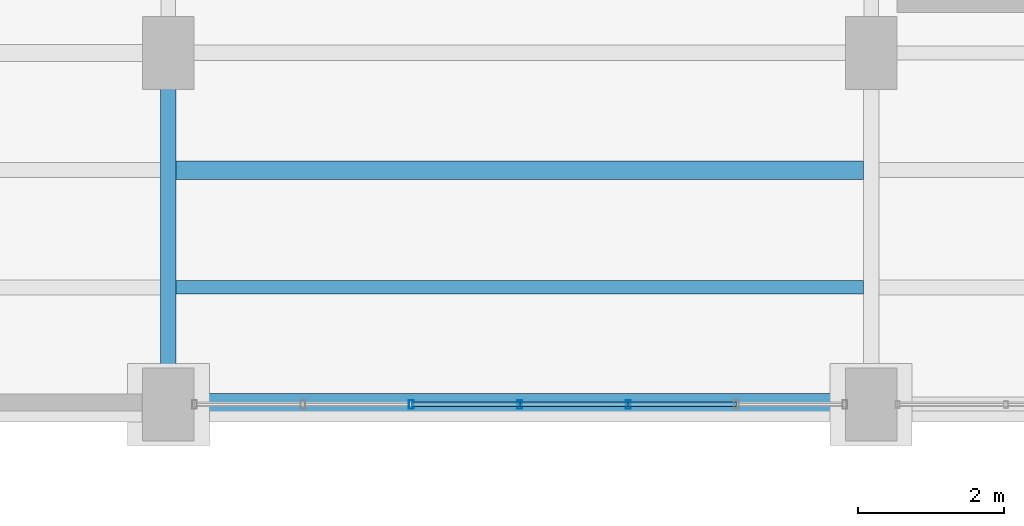
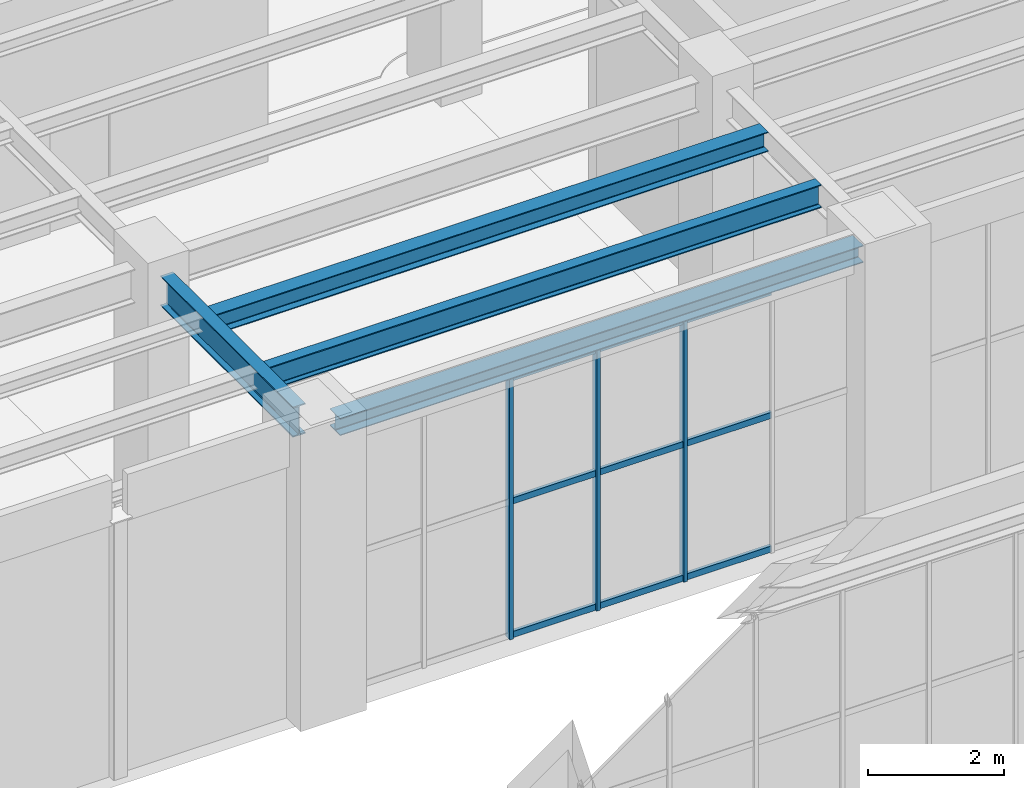
# One storey, part 99 of 164: 12 members, 4 beams, 1 element without a shape of its own.
"""IFC4 building model written with IfcOpenShell, lengths in metres."""

import ifcopenshell
import ifcopenshell.guid

model = None  # the IFC model being written
_history = None  # IfcOwnerHistory: only IFC2X3 demands one
_inside = {}  # id of a spatial element -> (the spatial element, [elements in it])
_under = {}  # id of a project, library or spatial element -> (it, [spatial elements below it])
_declared = {}  # id of a project -> (the project, [libraries it declares])
_typed = {}  # id of a type object -> (the type object, [elements of that type])
_made_of = {}  # id of a material, layer set ... -> (it, [elements and type objects made of it])


def new_model(schema):
    """Start an empty IFC model of exactly this schema.

    Asked for "IFC4X3", IfcOpenShell would pick the latest addendum, in which some entities
    have other attributes; the version numbers below select the first issue.
    IFC2X3 requires an IfcOwnerHistory on every rooted entity: one is made here for all.
    """
    global model, _history
    if schema == "IFC4X3":
        model = ifcopenshell.file(schema_version=(4, 3, 0, 0))
    else:
        model = ifcopenshell.file(schema=schema)
    _inside.clear()
    _under.clear()
    _declared.clear()
    _typed.clear()
    _made_of.clear()
    _history = None
    if model.schema == "IFC2X3":
        org = make("IfcOrganization", Name="unknown")
        user = make(
            "IfcPersonAndOrganization",
            ThePerson=make("IfcPerson", FamilyName="unknown"),
            TheOrganization=org,
        )
        app = make(
            "IfcApplication",
            ApplicationDeveloper=org,
            Version="unknown",
            ApplicationFullName="unknown",
            ApplicationIdentifier="unknown",
        )
        _history = make(
            "IfcOwnerHistory",
            OwningUser=user,
            OwningApplication=app,
            ChangeAction="ADDED",
            CreationDate=0,
        )
    return model


def make(cls, **values):
    """One entity of the class cls with the attributes given. An attribute that is None is left unset."""
    return model.create_entity(
        cls, **{name: value for name, value in values.items() if value is not None}
    )


def rooted(cls, **values):
    """An entity with a GlobalId (a new one), such as an element, a storey or a relation."""
    return make(cls, GlobalId=ifcopenshell.guid.new(), OwnerHistory=_history, **values)


def si_unit(unit_type, name, prefix=None):
    """IfcSIUnit, for example si_unit("LENGTHUNIT", "METRE", prefix="MILLI")."""
    return make("IfcSIUnit", UnitType=unit_type, Prefix=prefix, Name=name)


def assignment(units):
    """IfcUnitAssignment: the units of a project."""
    return None if units is None else make("IfcUnitAssignment", Units=units)


def point(xyz):
    """IfcCartesianPoint."""
    return None if xyz is None else make("IfcCartesianPoint", Coordinates=xyz)


def direction(xyz):
    """IfcDirection."""
    return None if xyz is None else make("IfcDirection", DirectionRatios=xyz)


def frame(location, z_axis=None, x_axis=None):
    """IfcAxis2Placement3D, a coordinate frame: its origin and axes. An axis left out is left unset."""
    return make(
        "IfcAxis2Placement3D",
        Location=point(location),
        Axis=direction(z_axis),
        RefDirection=direction(x_axis),
    )


def frame_2d(location, x_axis=None):
    """IfcAxis2Placement2D, a coordinate frame in the plane: its origin and x axis."""
    return make(
        "IfcAxis2Placement2D", Location=point(location), RefDirection=direction(x_axis)
    )


def origin():
    """The frame at (0, 0, 0) with its axes left unset."""
    return frame((0.0, 0.0, 0.0))


def origin_2d():
    """The frame at (0, 0) in the plane with its x axis left unset."""
    return frame_2d((0.0, 0.0))


def place(relative_to, where):
    """IfcLocalPlacement: puts the frame where relative to a parent placement (None: the world)."""
    return make(
        "IfcLocalPlacement", PlacementRelTo=relative_to, RelativePlacement=where
    )


def context(
    kind, dimensions, precision=None, world=None, true_north=None, identifier=None
):
    """IfcGeometricRepresentationContext, for example the 3D "Model" context."""
    return make(
        "IfcGeometricRepresentationContext",
        ContextIdentifier=identifier,
        ContextType=kind,
        CoordinateSpaceDimension=dimensions,
        Precision=precision,
        WorldCoordinateSystem=world,
        TrueNorth=true_north,
    )


def subcontext(parent, identifier, kind, view, scale=None):
    """IfcGeometricRepresentationSubContext, for example "Body" below "Model"."""
    return make(
        "IfcGeometricRepresentationSubContext",
        ContextIdentifier=identifier,
        ContextType=kind,
        ParentContext=parent,
        TargetScale=scale,
        TargetView=view,
    )


def project(units=None, contexts=None):
    """IfcProject with its units and contexts."""
    return rooted(
        "IfcProject",
        Name="project",
        RepresentationContexts=contexts,
        UnitsInContext=assignment(units),
    )


def spatial(cls, under=None, at=None, **own):
    """A site, building, storey or space (cls), placed at a placement, below another one or the project."""
    s = rooted(cls, ObjectPlacement=at, **own)
    if under is not None:
        _under.setdefault(under.id(), (under, []))[1].append(s)
    return s


def profile(cls, at=None, kind="AREA", **sizes):
    """A parametric profile (cls). Its sizes go by their IFC names, for example OverallWidth=200.0."""
    return make(cls, ProfileType=kind, Position=at, **sizes)


def hollow_rectangle(**sizes):
    """IfcRectangleHollowProfileDef."""
    return profile("IfcRectangleHollowProfileDef", **sizes)


def i_section(**sizes):
    """IfcIShapeProfileDef."""
    return profile("IfcIShapeProfileDef", **sizes)


def extrude(swept, where, along, depth):
    """IfcExtrudedAreaSolid: the profile swept, set in the frame where, extruded along a direction by depth."""
    return make(
        "IfcExtrudedAreaSolid",
        SweptArea=swept,
        Position=where,
        ExtrudedDirection=direction(along),
        Depth=depth,
    )


def shape(context_of_items, identifier, shape_type, items):
    """IfcShapeRepresentation: the items that make up one representation, for example the "Body"."""
    return make(
        "IfcShapeRepresentation",
        ContextOfItems=context_of_items,
        RepresentationIdentifier=identifier,
        RepresentationType=shape_type,
        Items=items,
    )


def material(Name=None, Category=None):
    """IfcMaterial."""
    return make("IfcMaterial", Name=Name, Category=Category)


def material_profile(
    of_material, cross_section, Name=None, Category=None, Priority=None
):
    """IfcMaterialProfile: a cross section and its material."""
    return make(
        "IfcMaterialProfile",
        Name=Name,
        Material=of_material,
        Profile=cross_section,
        Priority=Priority,
        Category=Category,
    )


def profile_set(profiles, Name=None, composite=None):
    """IfcMaterialProfileSet."""
    return make(
        "IfcMaterialProfileSet",
        Name=Name,
        MaterialProfiles=profiles,
        CompositeProfile=composite,
    )


def made_of(thing, what):
    """Note that an element or type object is made of a material, layer set ...; save() writes the relation."""
    if what is not None:
        _made_of.setdefault(what.id(), (what, []))[1].append(thing)
    return thing


def type_object(cls, material=None, **own):
    """A type object (cls), such as IfcWallType, which elements share."""
    return made_of(rooted(cls, **own), material)


def element(
    cls,
    number,
    at=None,
    inside=None,
    cuts=None,
    type_object=None,
    material=None,
    context=None,
    identifier="Body",
    shape_type=None,
    held_by="IfcProductDefinitionShape",
    body=None,
    shapes=None,
    **own,
):
    """One element of the class cls, such as IfcWall. Its Tag is "e" and its number.

    at: its placement. inside: the storey or other place that contains it. cuts: it is an
    opening in that element (IfcRelVoidsElement). A single representation is given by context,
    identifier, shape_type and body (its items); several are given by shapes. held_by: the class
    of the entity that holds the representations. save() writes the other relations.
    """
    e = rooted(cls, Tag="e%d" % number, ObjectPlacement=at, **own)
    if body is not None:
        shapes = [shape(context, identifier, shape_type, body)]
    if shapes is not None:
        e.Representation = make(held_by, Representations=shapes)
    if inside is not None:
        _inside.setdefault(inside.id(), (inside, []))[1].append(e)
    if cuts is not None:
        rooted(
            "IfcRelVoidsElement", RelatingBuildingElement=cuts, RelatedOpeningElement=e
        )
    if type_object is not None:
        _typed.setdefault(type_object.id(), (type_object, []))[1].append(e)
    return made_of(e, material)


def aggregate(whole, parts):
    """IfcRelAggregates: a whole, such as a stair, and the parts it consists of."""
    return rooted("IfcRelAggregates", RelatingObject=whole, RelatedObjects=parts)


def save(model, path):
    """Write the relations noted so far, then the file.

    IfcRelAggregates (storeys below a building ...), IfcRelContainedInSpatialStructure (elements
    in a storey), IfcRelDefinesByType, IfcRelAssociatesMaterial and IfcRelDeclares: one each for
    every whole, place, type object, material and project.
    """
    for whole, parts in _under.values():
        aggregate(whole, parts)
    for where, things in _inside.values():
        rooted(
            "IfcRelContainedInSpatialStructure",
            RelatedElements=things,
            RelatingStructure=where,
        )
    for kind, things in _typed.values():
        rooted("IfcRelDefinesByType", RelatedObjects=things, RelatingType=kind)
    for what, things in _made_of.values():
        rooted("IfcRelAssociatesMaterial", RelatedObjects=things, RelatingMaterial=what)
    for by, libraries in _declared.values():
        rooted("IfcRelDeclares", RelatingContext=by, RelatedDefinitions=libraries)
    model.write(path)


model = new_model("IFC4")

# Units and contexts
model_context = context("Model", 3, precision=1e-05, world=origin(), true_north=direction((0.0, 1.0)))
body_context = subcontext(model_context, "Body", "Model", "MODEL_VIEW")
ifc_project = project(units=[si_unit("LENGTHUNIT", "METRE"), si_unit("AREAUNIT", "SQUARE_METRE"), si_unit("VOLUMEUNIT", "CUBIC_METRE"), si_unit("PLANEANGLEUNIT", "RADIAN"), si_unit("MASSUNIT", "GRAM", prefix="KILO")], contexts=[model_context])

# Site, building, storey
site_placement = place(None, origin())
site = spatial("IfcSite", under=ifc_project, at=site_placement, CompositionType="ELEMENT")
building_placement = place(site_placement, origin())
building = spatial("IfcBuilding", under=site, at=building_placement, Name="Mavantir Sound Aquarium", CompositionType="ELEMENT")
storey_placement = place(building_placement, origin())
storey = spatial("IfcBuildingStorey", under=building, at=storey_placement, Name="L00", CompositionType="ELEMENT", Elevation=0.0)

# Beams
ifc_material_1 = material(Name="Structural Steel ASTM A992 Gr50", Category="steel")
ifc_material_profile_1 = material_profile(ifc_material_1, i_section(OverallWidth=0.304931640625, OverallDepth=0.30810546875, WebThickness=0.010009765625, FlangeThickness=0.015380859375, FilletRadius=0.014892578125, at=origin_2d()), Name="W310X97")
ifc_profile_set_1 = profile_set([ifc_material_profile_1], Name="Structural Steel ASTM A992 Gr50")
beam_type_1 = type_object("IfcBeamType", Name="BM-W310X97-E", PredefinedType="SPANDREL", material=ifc_profile_set_1)
beam_1_placement = place(storey_placement, frame((137.14990234375, 36.0, 4.912109375), z_axis=(1.0, 0.0, 0.0), x_axis=(0.0, 1.0, 0.0)))
element("IfcBeam", 1, at=beam_1_placement, inside=storey, type_object=beam_type_1, Name="L00 primary beam SS-31A 927", PredefinedType="SPANDREL", context=body_context, shape_type="SweptSolid", body=[
    extrude(i_section(OverallWidth=0.304931640625, OverallDepth=0.30810546875, WebThickness=0.010009765625, FlangeThickness=0.015380859375, FilletRadius=0.014892578125, at=origin_2d()), origin(), (0.0, 0.0, 1.0), 8.900146484375),
])
ifc_material_profile_2 = material_profile(ifc_material_1, i_section(OverallWidth=0.25390625, OverallDepth=0.35302734375, WebThickness=0.009521484375, FlangeThickness=0.016357421875, FilletRadius=0.014892578125, at=origin_2d()), Name="W360X91")
ifc_profile_set_2 = profile_set([ifc_material_profile_2], Name="Structural Steel ASTM A992 Gr50")
beam_type_2 = type_object("IfcBeamType", Name="BM-W360X91-I", PredefinedType="JOIST", material=ifc_profile_set_2)
beam_2_placement = place(storey_placement, frame((136.906005859375, 39.199951171875, 4.889404296875), z_axis=(1.0, 0.0, 0.0), x_axis=(0.0, 1.0, 0.0)))
element("IfcBeam", 2, at=beam_2_placement, inside=storey, type_object=beam_type_2, Name="L00 secondary floor joist SJ-36 514", PredefinedType="JOIST", context=body_context, shape_type="SweptSolid", body=[
    extrude(i_section(OverallWidth=0.25390625, OverallDepth=0.35302734375, WebThickness=0.009521484375, FlangeThickness=0.016357421875, FilletRadius=0.014892578125, at=origin_2d()), origin(), (0.0, 0.0, 1.0), 9.387939453125),
])
ifc_material_profile_3 = material_profile(ifc_material_1, i_section(OverallWidth=0.180908203125, OverallDepth=0.4169921875, WebThickness=0.010986328125, FlangeThickness=0.018310546875, FilletRadius=0.014892578125, at=origin_2d()), Name="W410X85")
ifc_profile_set_3 = profile_set([ifc_material_profile_3], Name="Structural Steel ASTM A992 Gr50")
beam_type_3 = type_object("IfcBeamType", Name="BM-W410X85-I", PredefinedType="JOIST", material=ifc_profile_set_3)
beam_3_placement = place(storey_placement, frame((136.906005859375, 37.60009765625, 4.857421875), z_axis=(1.0, 0.0, 0.0), x_axis=(0.0, 1.0, 0.0)))
element("IfcBeam", 3, at=beam_3_placement, inside=storey, type_object=beam_type_3, Name="L00 secondary floor joist SJ-41 513", PredefinedType="JOIST", context=body_context, shape_type="SweptSolid", body=[
    extrude(i_section(OverallWidth=0.180908203125, OverallDepth=0.4169921875, WebThickness=0.010986328125, FlangeThickness=0.018310546875, FilletRadius=0.014892578125, at=origin_2d()), origin(), (0.0, 0.0, 1.0), 9.387939453125),
])
ifc_material_profile_4 = material_profile(ifc_material_1, i_section(OverallWidth=0.2119140625, OverallDepth=0.5439453125, WebThickness=0.01318359375, FlangeThickness=0.021240234375, FilletRadius=0.01806640625, at=origin_2d()), Name="W530X123")
ifc_profile_set_4 = profile_set([ifc_material_profile_4], Name="Structural Steel ASTM A992 Gr50")
beam_type_4 = type_object("IfcBeamType", Name="BM-W530X123-I", PredefinedType="BEAM", material=ifc_profile_set_4)
beam_4_placement = place(storey_placement, frame((136.800048828125, 36.449951171875, 4.7939453125), z_axis=(0.0, 1.0, 0.0), x_axis=(-1.0, 0.0, 0.0)))
element("IfcBeam", 4, at=beam_4_placement, inside=storey, type_object=beam_type_4, Name="L00 primary girder SB-53 995", PredefinedType="BEAM", context=body_context, shape_type="SweptSolid", body=[
    extrude(i_section(OverallWidth=0.2119140625, OverallDepth=0.5439453125, WebThickness=0.01318359375, FlangeThickness=0.021240234375, FilletRadius=0.01806640625, at=origin_2d()), origin(), (0.0, 0.0, 1.0), 3.900146484375),
])

# Curtain wall, members
ifc_material_2 = material(Name="Anodised Marine Aluminium and Low-E Glass", Category="aluminium")
curtain_wall_type = type_object("IfcCurtainWallType", Name="CW-T22", PredefinedType="USERDEFINED", material=ifc_material_2)
curtain_wall_placement = place(storey_placement, origin())
curtain_wall = element("IfcCurtainWall", 5, at=curtain_wall_placement, inside=storey, type_object=curtain_wall_type, Name="L00 unitised curtain wall CW-22 22", ObjectType="UNITISED GLAZING", PredefinedType="USERDEFINED")
ifc_material_3 = material(Name="Anodised Marine Aluminium 6063-T6", Category="aluminium")
ifc_material_profile_5 = material_profile(ifc_material_3, hollow_rectangle(XDim=0.06494140625, YDim=0.1201171875, WallThickness=0.00390625, at=origin_2d()), Name="ALU-MULLION-120X65")
ifc_profile_set_5 = profile_set([ifc_material_profile_5], Name="Anodised Marine Aluminium 6063-T6")
member_type_1 = type_object("IfcMemberType", Name="CW-MUL-120", PredefinedType="MULLION", material=ifc_profile_set_5)
member_1_placement = place(storey_placement, frame((140.119384765625, 36.0, 0.0), z_axis=(0.0, 0.0, 1.0), x_axis=(1.0, 0.0, 0.0)))
member_1 = element("IfcMember", 6, at=member_1_placement, type_object=member_type_1, Name="CW-L00-022 vertical mullion 3", PredefinedType="MULLION", context=body_context, shape_type="SweptSolid", body=[
    extrude(hollow_rectangle(XDim=0.06494140625, YDim=0.1201171875, WallThickness=0.00390625, at=origin_2d()), origin(), (0.0, 0.0, 1.0), 4.72802734375),
])
member_2_placement = place(storey_placement, frame((141.60009765625, 36.0, 0.0), z_axis=(0.0, 0.0, 1.0), x_axis=(1.0, 0.0, 0.0)))
member_2 = element("IfcMember", 7, at=member_2_placement, type_object=member_type_1, Name="CW-L00-022 vertical mullion 4", PredefinedType="MULLION", context=body_context, shape_type="SweptSolid", body=[
    extrude(hollow_rectangle(XDim=0.06494140625, YDim=0.1201171875, WallThickness=0.00390625, at=origin_2d()), origin(), (0.0, 0.0, 1.0), 4.72802734375),
])
member_3_placement = place(storey_placement, frame((143.080810546875, 36.0, 0.0), z_axis=(0.0, 0.0, 1.0), x_axis=(1.0, 0.0, 0.0)))
member_3 = element("IfcMember", 8, at=member_3_placement, type_object=member_type_1, Name="CW-L00-022 vertical mullion 5", PredefinedType="MULLION", context=body_context, shape_type="SweptSolid", body=[
    extrude(hollow_rectangle(XDim=0.06494140625, YDim=0.1201171875, WallThickness=0.00390625, at=origin_2d()), origin(), (0.0, 0.0, 1.0), 4.72802734375),
])
ifc_material_profile_6 = material_profile(ifc_material_3, hollow_rectangle(XDim=0.06005859375, YDim=0.110107421875, WallThickness=0.00390625, at=origin_2d()), Name="ALU-TRANSOM-110X60")
ifc_profile_set_6 = profile_set([ifc_material_profile_6], Name="Anodised Marine Aluminium 6063-T6")
member_type_2 = type_object("IfcMemberType", Name="CW-TRN-110", PredefinedType="USERDEFINED", material=ifc_profile_set_6)
member_4_placement = place(storey_placement, frame((140.119384765625, 36.0, 0.054931640625), z_axis=(1.0, 0.0, 0.0), x_axis=(0.0, 1.0, 0.0)))
member_4 = element("IfcMember", 9, at=member_4_placement, type_object=member_type_2, Name="CW-L00-022 transom 3.1", ObjectType="TRANSOM", PredefinedType="USERDEFINED", context=body_context, shape_type="SweptSolid", body=[
    extrude(hollow_rectangle(XDim=0.06005859375, YDim=0.110107421875, WallThickness=0.00390625, at=origin_2d()), origin(), (0.0, 0.0, 1.0), 1.480712890625),
])
member_5_placement = place(storey_placement, frame((140.119384765625, 36.0, 2.45849609375), z_axis=(1.0, 0.0, 0.0), x_axis=(0.0, 1.0, 0.0)))
member_5 = element("IfcMember", 10, at=member_5_placement, type_object=member_type_2, Name="CW-L00-022 transom 3.2", ObjectType="TRANSOM", PredefinedType="USERDEFINED", context=body_context, shape_type="SweptSolid", body=[
    extrude(hollow_rectangle(XDim=0.06005859375, YDim=0.110107421875, WallThickness=0.00390625, at=origin_2d()), origin(), (0.0, 0.0, 1.0), 1.480712890625),
])
member_6_placement = place(storey_placement, frame((140.119384765625, 36.0, 4.673095703125), z_axis=(1.0, 0.0, 0.0), x_axis=(0.0, 1.0, 0.0)))
member_6 = element("IfcMember", 11, at=member_6_placement, type_object=member_type_2, Name="CW-L00-022 transom 3.3", ObjectType="TRANSOM", PredefinedType="USERDEFINED", context=body_context, shape_type="SweptSolid", body=[
    extrude(hollow_rectangle(XDim=0.06005859375, YDim=0.110107421875, WallThickness=0.00390625, at=origin_2d()), origin(), (0.0, 0.0, 1.0), 1.480712890625),
])
member_7_placement = place(storey_placement, frame((141.60009765625, 36.0, 0.054931640625), z_axis=(1.0, 0.0, 0.0), x_axis=(0.0, 1.0, 0.0)))
member_7 = element("IfcMember", 12, at=member_7_placement, type_object=member_type_2, Name="CW-L00-022 transom 4.1", ObjectType="TRANSOM", PredefinedType="USERDEFINED", context=body_context, shape_type="SweptSolid", body=[
    extrude(hollow_rectangle(XDim=0.06005859375, YDim=0.110107421875, WallThickness=0.00390625, at=origin_2d()), origin(), (0.0, 0.0, 1.0), 1.480712890625),
])
member_8_placement = place(storey_placement, frame((141.60009765625, 36.0, 2.45849609375), z_axis=(1.0, 0.0, 0.0), x_axis=(0.0, 1.0, 0.0)))
member_8 = element("IfcMember", 13, at=member_8_placement, type_object=member_type_2, Name="CW-L00-022 transom 4.2", ObjectType="TRANSOM", PredefinedType="USERDEFINED", context=body_context, shape_type="SweptSolid", body=[
    extrude(hollow_rectangle(XDim=0.06005859375, YDim=0.110107421875, WallThickness=0.00390625, at=origin_2d()), origin(), (0.0, 0.0, 1.0), 1.480712890625),
])
member_9_placement = place(storey_placement, frame((141.60009765625, 36.0, 4.673095703125), z_axis=(1.0, 0.0, 0.0), x_axis=(0.0, 1.0, 0.0)))
member_9 = element("IfcMember", 14, at=member_9_placement, type_object=member_type_2, Name="CW-L00-022 transom 4.3", ObjectType="TRANSOM", PredefinedType="USERDEFINED", context=body_context, shape_type="SweptSolid", body=[
    extrude(hollow_rectangle(XDim=0.06005859375, YDim=0.110107421875, WallThickness=0.00390625, at=origin_2d()), origin(), (0.0, 0.0, 1.0), 1.480712890625),
])
member_10_placement = place(storey_placement, frame((143.080810546875, 36.0, 0.054931640625), z_axis=(1.0, 0.0, 0.0), x_axis=(0.0, 1.0, 0.0)))
member_10 = element("IfcMember", 15, at=member_10_placement, type_object=member_type_2, Name="CW-L00-022 transom 5.1", ObjectType="TRANSOM", PredefinedType="USERDEFINED", context=body_context, shape_type="SweptSolid", body=[
    extrude(hollow_rectangle(XDim=0.06005859375, YDim=0.110107421875, WallThickness=0.00390625, at=origin_2d()), origin(), (0.0, 0.0, 1.0), 1.48046875),
])
member_11_placement = place(storey_placement, frame((143.080810546875, 36.0, 2.45849609375), z_axis=(1.0, 0.0, 0.0), x_axis=(0.0, 1.0, 0.0)))
member_11 = element("IfcMember", 16, at=member_11_placement, type_object=member_type_2, Name="CW-L00-022 transom 5.2", ObjectType="TRANSOM", PredefinedType="USERDEFINED", context=body_context, shape_type="SweptSolid", body=[
    extrude(hollow_rectangle(XDim=0.06005859375, YDim=0.110107421875, WallThickness=0.00390625, at=origin_2d()), origin(), (0.0, 0.0, 1.0), 1.48046875),
])
member_12_placement = place(storey_placement, frame((143.080810546875, 36.0, 4.673095703125), z_axis=(1.0, 0.0, 0.0), x_axis=(0.0, 1.0, 0.0)))
member_12 = element("IfcMember", 17, at=member_12_placement, type_object=member_type_2, Name="CW-L00-022 transom 5.3", ObjectType="TRANSOM", PredefinedType="USERDEFINED", context=body_context, shape_type="SweptSolid", body=[
    extrude(hollow_rectangle(XDim=0.06005859375, YDim=0.110107421875, WallThickness=0.00390625, at=origin_2d()), origin(), (0.0, 0.0, 1.0), 1.48046875),
])
aggregate(curtain_wall, [member_1, member_2, member_3, member_4, member_5, member_6, member_7, member_8, member_9, member_10, member_11, member_12])

save(model, "model.ifc")
